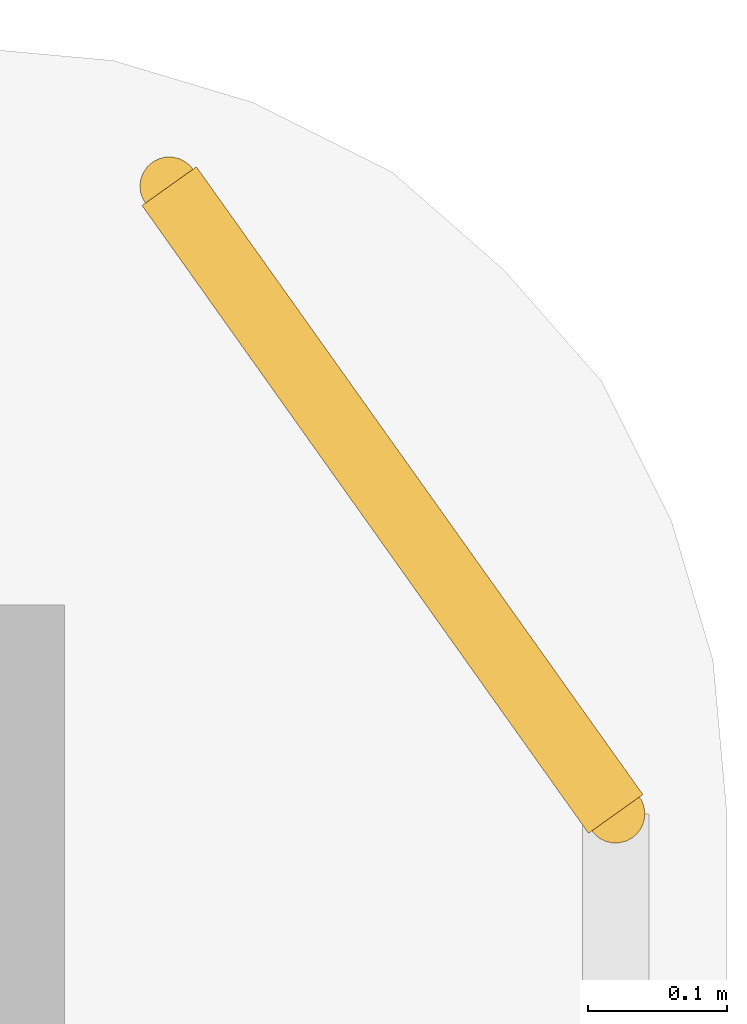
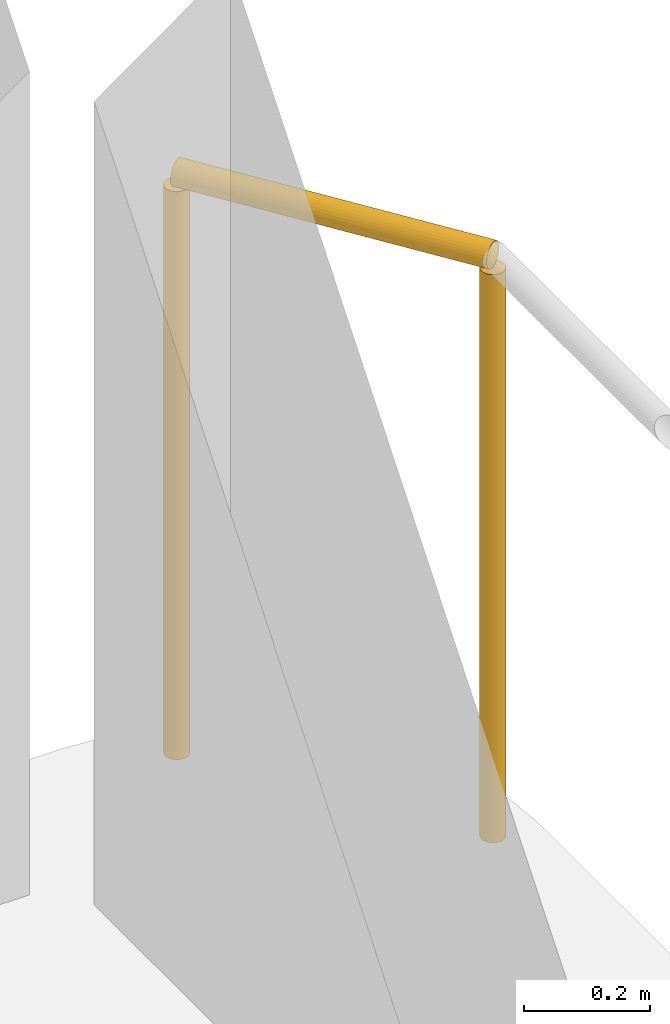
# One storey, part 5 of 5: 1 railing.
"""IFC4 building model written with IfcOpenShell, lengths in metres."""

from ifc_helpers import new_model, si_unit, direction, frame, origin, origin_2d, place, context, subcontext, project, spatial, circle, extrude, material, layer, layer_set, type_object, element, save


model = new_model("IFC4")

# Units and contexts
model_context = context("Model", 3, precision=1e-05, world=origin(), true_north=direction((0.0, 1.0)))
body_context = subcontext(model_context, "Body", "Model", "MODEL_VIEW")
ifc_project = project(units=[si_unit("LENGTHUNIT", "METRE"), si_unit("AREAUNIT", "SQUARE_METRE"), si_unit("VOLUMEUNIT", "CUBIC_METRE"), si_unit("PLANEANGLEUNIT", "RADIAN"), si_unit("MASSUNIT", "GRAM", prefix="KILO")], contexts=[model_context])

# Site, building, storey
site_placement = place(None, origin())
site = spatial("IfcSite", under=ifc_project, at=site_placement, CompositionType="ELEMENT")
building_placement = place(site_placement, origin())
building = spatial("IfcBuilding", under=site, at=building_placement, Name="Kuzgunbayir Cultural Tower", CompositionType="ELEMENT")
storey_placement = place(building_placement, frame((0.0, 0.0, 214.39990234375)))
storey = spatial("IfcBuildingStorey", under=building, at=storey_placement, Name="L63", CompositionType="ELEMENT", Elevation=214.39990234375)

# Railing
ifc_material = material(Name="Laminated Glass and Stainless Steel", Category="steel")
ifc_layer = layer(ifc_material, 0.080078125)
ifc_layer_set = layer_set([ifc_layer], Name="Laminated Glass and Stainless Steel")
railing_type = type_object("IfcRailingType", Name="RLG-BAL-115", PredefinedType="BALUSTRADE", material=ifc_layer_set)
railing_placement = place(storey_placement, frame((28.0, 42.449951171875, 0.0)))
element("IfcRailing", 1, at=railing_placement, inside=storey, type_object=railing_type, Name="L63 Perimeter Edge Guard 1", PredefinedType="BALUSTRADE", context=body_context, shape_type="SweptSolid", body=[
    extrude(circle(Radius=0.02392578125, at=origin_2d()), frame((0.0, 0.0, 1.1259765625), z_axis=(0.579647764944, -0.81486714782, 0.0), x_axis=(0.81486714782, 0.579647764944, 0.0)), (0.0, 0.0, 1.0), 0.55224609375),
    extrude(circle(Radius=0.02099609375, at=origin_2d()), origin(), (0.0, 0.0, 1.0), 1.101806640625),
    extrude(circle(Radius=0.02099609375, at=origin_2d()), frame((0.320068359375, -0.449951171875, 0.0)), (0.0, 0.0, 1.0), 1.101806640625),
])

save(model, "model.ifc")
